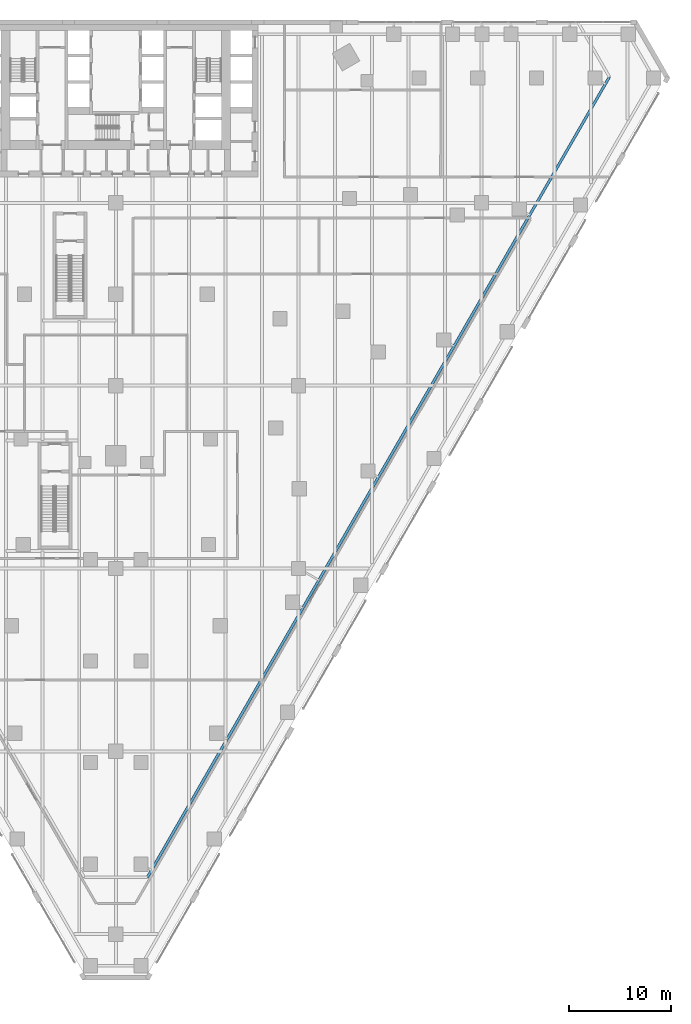
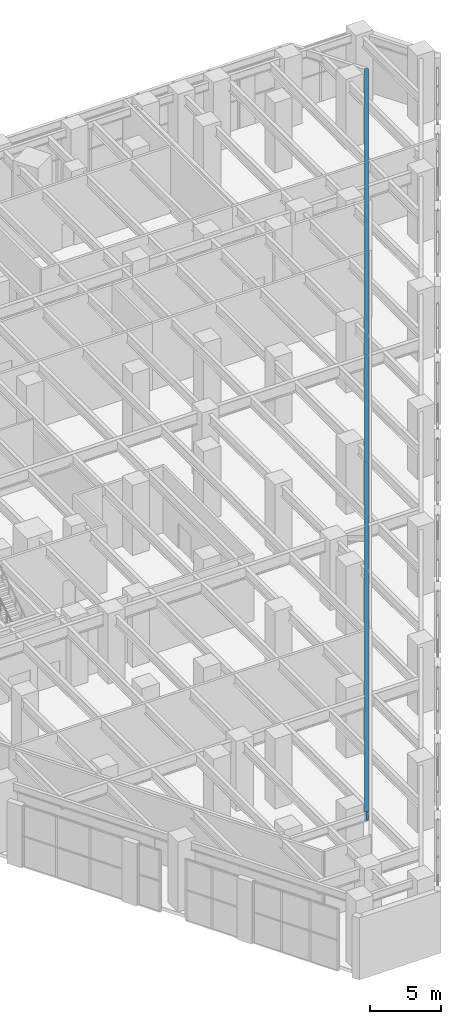
# One storey, part 12 of 37: 1 beam.
"""IFC4 building model written with IfcOpenShell, lengths in metres."""

from ifc_helpers import new_model, si_unit, direction, frame, origin, origin_2d, place, context, subcontext, project, spatial, i_section, extrude, material, material_profile, profile_set, type_object, element, save


model = new_model("IFC4")

# Units and contexts
model_context = context("Model", 3, precision=1e-05, world=origin(), true_north=direction((0.0, 1.0)))
body_context = subcontext(model_context, "Body", "Model", "MODEL_VIEW")
ifc_project = project(units=[si_unit("LENGTHUNIT", "METRE"), si_unit("AREAUNIT", "SQUARE_METRE"), si_unit("VOLUMEUNIT", "CUBIC_METRE"), si_unit("PLANEANGLEUNIT", "RADIAN"), si_unit("MASSUNIT", "GRAM", prefix="KILO")], contexts=[model_context])

# Site, building, storey
site_placement = place(None, origin())
site = spatial("IfcSite", under=ifc_project, at=site_placement, CompositionType="ELEMENT")
building_placement = place(site_placement, origin())
building = spatial("IfcBuilding", under=site, at=building_placement, Name="Aloe Facet Convention Tower", CompositionType="ELEMENT")
storey_placement = place(building_placement, frame((0.0, 0.0, 7.5)))
storey = spatial("IfcBuildingStorey", under=building, at=storey_placement, Name="L01", CompositionType="ELEMENT", Elevation=7.5)

# Beam
ifc_material = material(Name="Steel S355", Category="steel")
ifc_material_profile = material_profile(ifc_material, i_section(OverallWidth=0.25439453125, OverallDepth=0.6875, WebThickness=0.01318359375, FlangeThickness=0.02099609375, FilletRadius=0.01513671875, at=origin_2d()), Name="UB 686x254x152")
ifc_profile_set = profile_set([ifc_material_profile], Name="Steel S355")
beam_type = type_object("IfcBeamType", Name="EV-EB-UB686x254x152", PredefinedType="BEAM", material=ifc_profile_set)
beam_placement = place(storey_placement, frame((83.10498046875, 50.598876953125, 5.356201171875), z_axis=(0.500001482177, 0.866024548048, 0.0), x_axis=(-0.866024548048, 0.500001482177, 0.0)))
element("IfcBeam", 1, at=beam_placement, inside=storey, type_object=beam_type, Name="EB-L02-E", PredefinedType="BEAM", context=body_context, shape_type="SweptSolid", body=[
    extrude(i_section(OverallWidth=0.25439453125, OverallDepth=0.6875, WebThickness=0.01318359375, FlangeThickness=0.02099609375, FilletRadius=0.01513671875, at=origin_2d()), origin(), (0.0, 0.0, 1.0), 90.988037109375),
])

save(model, "model.ifc")
